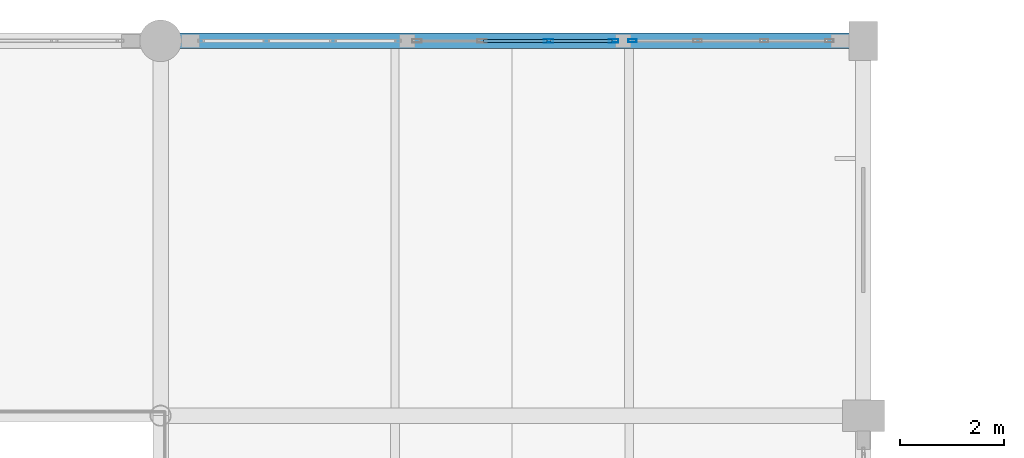
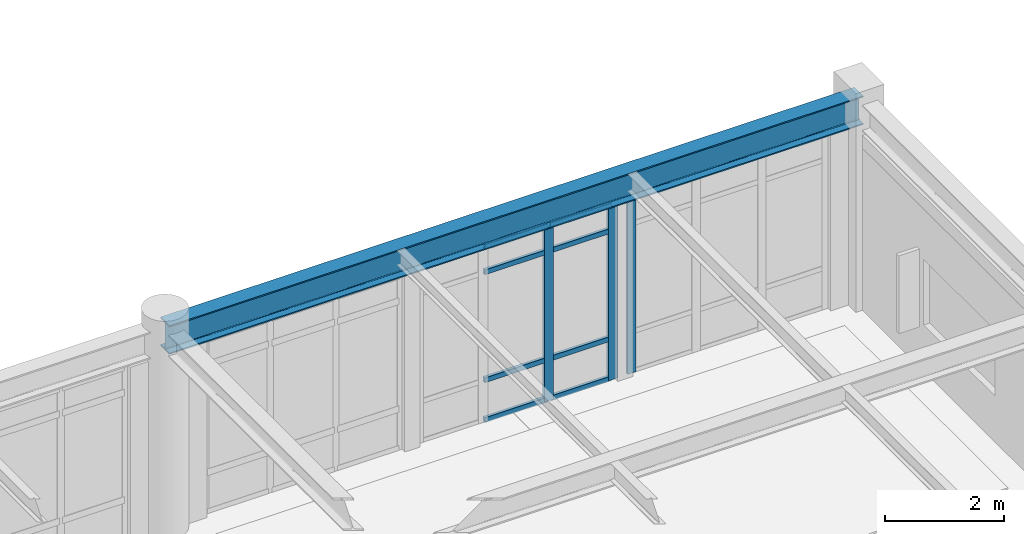
# One storey, part 29 of 61: 11 members, 1 beam, 2 elements without a shape of their own.
"""IFC4 building model written with IfcOpenShell, lengths in metres."""

from ifc_helpers import new_model, si_unit, direction, frame, origin, origin_2d, place, context, subcontext, project, spatial, hollow_rectangle, i_section, extrude, material, layer, layer_set, material_profile, profile_set, type_object, element, aggregate, save


model = new_model("IFC4")

# Units and contexts
model_context = context("Model", 3, precision=1e-05, world=origin(), true_north=direction((0.0, 1.0)))
body_context = subcontext(model_context, "Body", "Model", "MODEL_VIEW")
ifc_project = project(units=[si_unit("LENGTHUNIT", "METRE"), si_unit("AREAUNIT", "SQUARE_METRE"), si_unit("VOLUMEUNIT", "CUBIC_METRE"), si_unit("PLANEANGLEUNIT", "RADIAN"), si_unit("MASSUNIT", "GRAM", prefix="KILO")], contexts=[model_context])

# Site, building, storey
site_placement = place(None, origin())
site = spatial("IfcSite", under=ifc_project, at=site_placement, CompositionType="ELEMENT")
building_placement = place(site_placement, origin())
building = spatial("IfcBuilding", under=site, at=building_placement, Name="Fikremerkos Civic Library", CompositionType="ELEMENT")
storey_placement = place(building_placement, frame((0.0, 0.0, 14.39990234375)))
storey = spatial("IfcBuildingStorey", under=building, at=storey_placement, Name="L03", CompositionType="ELEMENT", Elevation=14.39990234375)

# Curtain wall, members
ifc_material_1 = material(Name="Anodized aluminium Frame", Category="aluminium")
ifc_layer_1 = layer(ifc_material_1, 0.159912109375, Name="Anodized aluminium Frame")
ifc_layer_set_1 = layer_set([ifc_layer_1], Name="Anodized aluminium Frame")
curtain_wall_type_1 = type_object("IfcCurtainWallType", Name="Unitised curtain wall CW-05 3800x4100", PredefinedType="USERDEFINED", material=ifc_layer_set_1)
curtain_wall_1_placement = place(storey_placement, origin())
curtain_wall_1 = element("IfcCurtainWall", 1, at=curtain_wall_1_placement, inside=storey, type_object=curtain_wall_type_1, Name="Unitised curtain wall CW-05 L03 #203", ObjectType="UNITISED CURTAIN WALL", PredefinedType="USERDEFINED")
ifc_material_profile_1 = material_profile(ifc_material_1, hollow_rectangle(XDim=0.06494140625, YDim=0.179931640625, WallThickness=0.00439453125, at=origin_2d()), Name="ALU 180x65x4.5")
ifc_profile_set_1 = profile_set([ifc_material_profile_1], Name="Anodized aluminium Frame")
member_type_1 = type_object("IfcMemberType", Name="Curtain mullion CWM-01 ALU 180x65x4.5", PredefinedType="MULLION", material=ifc_profile_set_1)
member_1_placement = place(storey_placement, frame((94.153076171875, 48.0, 0.0), z_axis=(0.0, 0.0, 1.0), x_axis=(0.0, 1.0, 0.0)))
member_1 = element("IfcMember", 2, at=member_1_placement, type_object=member_type_1, Name="CW-05 mullion 3", PredefinedType="MULLION", context=body_context, shape_type="SweptSolid", body=[
    extrude(hollow_rectangle(XDim=0.06494140625, YDim=0.179931640625, WallThickness=0.00439453125, at=origin_2d()), origin(), (0.0, 0.0, 1.0), 3.6201171875),
])
member_2_placement = place(storey_placement, frame((95.401611328125, 48.0, 0.0), z_axis=(0.0, 0.0, 1.0), x_axis=(0.0, 1.0, 0.0)))
member_2 = element("IfcMember", 3, at=member_2_placement, type_object=member_type_1, Name="CW-05 mullion 4", PredefinedType="MULLION", context=body_context, shape_type="SweptSolid", body=[
    extrude(hollow_rectangle(XDim=0.06494140625, YDim=0.179931640625, WallThickness=0.00439453125, at=origin_2d()), origin(), (0.0, 0.0, 1.0), 3.6201171875),
])

# Curtain wall, member
ifc_layer_2 = layer(ifc_material_1, 0.159912109375, Name="Anodized aluminium Frame")
ifc_layer_set_2 = layer_set([ifc_layer_2], Name="Anodized aluminium Frame")
curtain_wall_type_2 = type_object("IfcCurtainWallType", Name="Unitised curtain wall CW-06 4200x4100", PredefinedType="USERDEFINED", material=ifc_layer_set_2)
curtain_wall_2_placement = place(storey_placement, origin())
curtain_wall_2 = element("IfcCurtainWall", 4, at=curtain_wall_2_placement, inside=storey, type_object=curtain_wall_type_2, Name="Unitised curtain wall CW-06 L03 #204", ObjectType="UNITISED CURTAIN WALL", PredefinedType="USERDEFINED")
ifc_material_profile_2 = material_profile(ifc_material_1, hollow_rectangle(XDim=0.06005859375, YDim=0.159912109375, WallThickness=0.00390625, at=origin_2d()), Name="ALU 160x60x4")
ifc_profile_set_2 = profile_set([ifc_material_profile_2], Name="Anodized aluminium Frame")
member_type_2 = type_object("IfcMemberType", Name="Curtain mullion CWM-02 ALU 160x60x4", PredefinedType="MULLION", material=ifc_profile_set_2)
member_3_placement = place(storey_placement, frame((95.763916015625, 48.0, 0.0), z_axis=(0.0, 0.0, 1.0), x_axis=(0.0, 1.0, 0.0)))
member_3 = element("IfcMember", 5, at=member_3_placement, type_object=member_type_2, Name="CW-06 mullion 1", PredefinedType="MULLION", context=body_context, shape_type="SweptSolid", body=[
    extrude(hollow_rectangle(XDim=0.06005859375, YDim=0.159912109375, WallThickness=0.00390625, at=origin_2d()), origin(), (0.0, 0.0, 1.0), 3.6201171875),
])
aggregate(curtain_wall_2, [member_3])

# Member
ifc_material_profile_3 = material_profile(ifc_material_1, hollow_rectangle(XDim=0.06005859375, YDim=0.10009765625, WallThickness=0.00390625, at=origin_2d()), Name="ALU 100x60x4")
ifc_profile_set_3 = profile_set([ifc_material_profile_3], Name="Anodized aluminium Frame")
member_type_3 = type_object("IfcMemberType", Name="Curtain transom CWT-03 ALU 100x60x4", PredefinedType="USERDEFINED", material=ifc_profile_set_3)
member_4_placement = place(storey_placement, frame((92.904541015625, 48.0, 0.030029296875), z_axis=(1.0, 0.0, 0.0), x_axis=(0.0, 1.0, 0.0)))
member_4 = element("IfcMember", 6, at=member_4_placement, type_object=member_type_3, Name="CW-05 transom 2.1", ObjectType="TRANSOM", PredefinedType="USERDEFINED", context=body_context, shape_type="SweptSolid", body=[
    extrude(hollow_rectangle(XDim=0.06005859375, YDim=0.10009765625, WallThickness=0.00390625, at=origin_2d()), origin(), (0.0, 0.0, 1.0), 1.216064453125),
])

member_5_placement = place(storey_placement, frame((92.904541015625, 48.0, 0.85009765625), z_axis=(1.0, 0.0, 0.0), x_axis=(0.0, 1.0, 0.0)))
member_5 = element("IfcMember", 7, at=member_5_placement, type_object=member_type_3, Name="CW-05 transom 2.2", ObjectType="TRANSOM", PredefinedType="USERDEFINED", context=body_context, shape_type="SweptSolid", body=[
    extrude(hollow_rectangle(XDim=0.06005859375, YDim=0.10009765625, WallThickness=0.00390625, at=origin_2d()), origin(), (0.0, 0.0, 1.0), 1.216064453125),
])

member_6_placement = place(storey_placement, frame((92.904541015625, 48.0, 3.070068359375), z_axis=(1.0, 0.0, 0.0), x_axis=(0.0, 1.0, 0.0)))
member_6 = element("IfcMember", 8, at=member_6_placement, type_object=member_type_3, Name="CW-05 transom 2.3", ObjectType="TRANSOM", PredefinedType="USERDEFINED", context=body_context, shape_type="SweptSolid", body=[
    extrude(hollow_rectangle(XDim=0.06005859375, YDim=0.10009765625, WallThickness=0.00390625, at=origin_2d()), origin(), (0.0, 0.0, 1.0), 1.216064453125),
])

member_7_placement = place(storey_placement, frame((92.904541015625, 48.0, 3.590087890625), z_axis=(1.0, 0.0, 0.0), x_axis=(0.0, 1.0, 0.0)))
member_7 = element("IfcMember", 9, at=member_7_placement, type_object=member_type_3, Name="CW-05 transom 2.4", ObjectType="TRANSOM", PredefinedType="USERDEFINED", context=body_context, shape_type="SweptSolid", body=[
    extrude(hollow_rectangle(XDim=0.06005859375, YDim=0.10009765625, WallThickness=0.00390625, at=origin_2d()), origin(), (0.0, 0.0, 1.0), 1.216064453125),
])

member_8_placement = place(storey_placement, frame((94.185546875, 48.0, 0.030029296875), z_axis=(1.0, 0.0, 0.0), x_axis=(0.0, 1.0, 0.0)))
member_8 = element("IfcMember", 10, at=member_8_placement, type_object=member_type_3, Name="CW-05 transom 3.1", ObjectType="TRANSOM", PredefinedType="USERDEFINED", context=body_context, shape_type="SweptSolid", body=[
    extrude(hollow_rectangle(XDim=0.06005859375, YDim=0.10009765625, WallThickness=0.00390625, at=origin_2d()), origin(), (0.0, 0.0, 1.0), 1.183349609375),
])

member_9_placement = place(storey_placement, frame((94.185546875, 48.0, 0.85009765625), z_axis=(1.0, 0.0, 0.0), x_axis=(0.0, 1.0, 0.0)))
member_9 = element("IfcMember", 11, at=member_9_placement, type_object=member_type_3, Name="CW-05 transom 3.2", ObjectType="TRANSOM", PredefinedType="USERDEFINED", context=body_context, shape_type="SweptSolid", body=[
    extrude(hollow_rectangle(XDim=0.06005859375, YDim=0.10009765625, WallThickness=0.00390625, at=origin_2d()), origin(), (0.0, 0.0, 1.0), 1.183349609375),
])

member_10_placement = place(storey_placement, frame((94.185546875, 48.0, 3.070068359375), z_axis=(1.0, 0.0, 0.0), x_axis=(0.0, 1.0, 0.0)))
member_10 = element("IfcMember", 12, at=member_10_placement, type_object=member_type_3, Name="CW-05 transom 3.3", ObjectType="TRANSOM", PredefinedType="USERDEFINED", context=body_context, shape_type="SweptSolid", body=[
    extrude(hollow_rectangle(XDim=0.06005859375, YDim=0.10009765625, WallThickness=0.00390625, at=origin_2d()), origin(), (0.0, 0.0, 1.0), 1.183349609375),
])

member_11_placement = place(storey_placement, frame((94.185546875, 48.0, 3.590087890625), z_axis=(1.0, 0.0, 0.0), x_axis=(0.0, 1.0, 0.0)))
member_11 = element("IfcMember", 13, at=member_11_placement, type_object=member_type_3, Name="CW-05 transom 3.4", ObjectType="TRANSOM", PredefinedType="USERDEFINED", context=body_context, shape_type="SweptSolid", body=[
    extrude(hollow_rectangle(XDim=0.06005859375, YDim=0.10009765625, WallThickness=0.00390625, at=origin_2d()), origin(), (0.0, 0.0, 1.0), 1.183349609375),
])

aggregate(curtain_wall_1, [member_1, member_2, member_4, member_5, member_6, member_7, member_8, member_9, member_10, member_11])

# Beam
ifc_material_2 = material(Name="Steel S355", Category="steel")
ifc_material_profile_4 = material_profile(ifc_material_2, i_section(OverallWidth=0.300048828125, OverallDepth=0.590087890625, WebThickness=0.012939453125, FlangeThickness=0.02490234375, FilletRadius=0.027099609375, at=origin_2d()), Name="HEA 600")
ifc_profile_set_4 = profile_set([ifc_material_profile_4], Name="Steel S355")
beam_type = type_object("IfcBeamType", Name="Primary girder BM-15 HEA 600", PredefinedType="BEAM", material=ifc_profile_set_4)
beam_placement = place(storey_placement, frame((86.699951171875, 48.0, 3.925048828125), z_axis=(1.0, 0.0, 0.0), x_axis=(0.0, 1.0, 0.0)))
element("IfcBeam", 14, at=beam_placement, inside=storey, type_object=beam_type, Name="Primary girder BM-15 L03 grid J", PredefinedType="BEAM", context=body_context, shape_type="SweptSolid", body=[
    extrude(i_section(OverallWidth=0.300048828125, OverallDepth=0.590087890625, WebThickness=0.012939453125, FlangeThickness=0.02490234375, FilletRadius=0.027099609375, at=origin_2d()), origin(), (0.0, 0.0, 1.0), 13.5),
])

save(model, "model.ifc")
